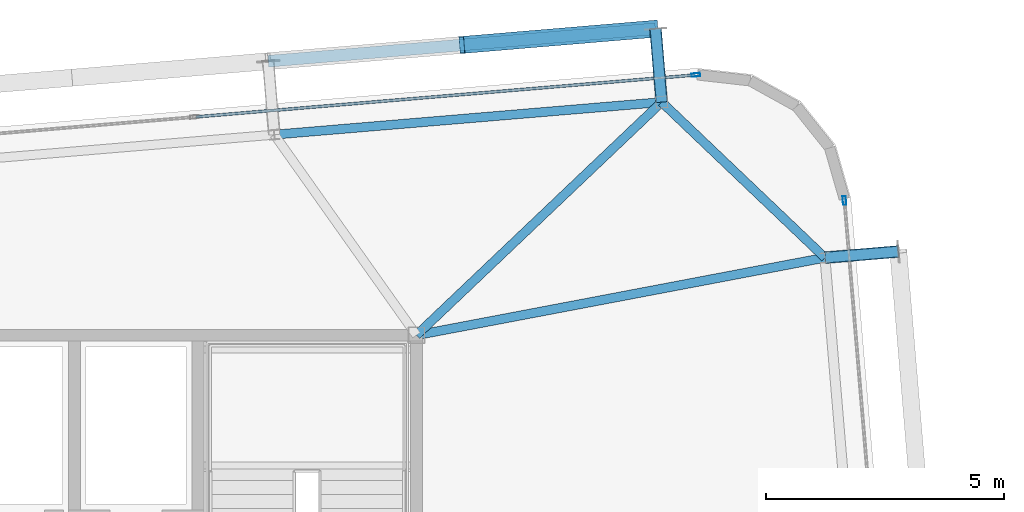
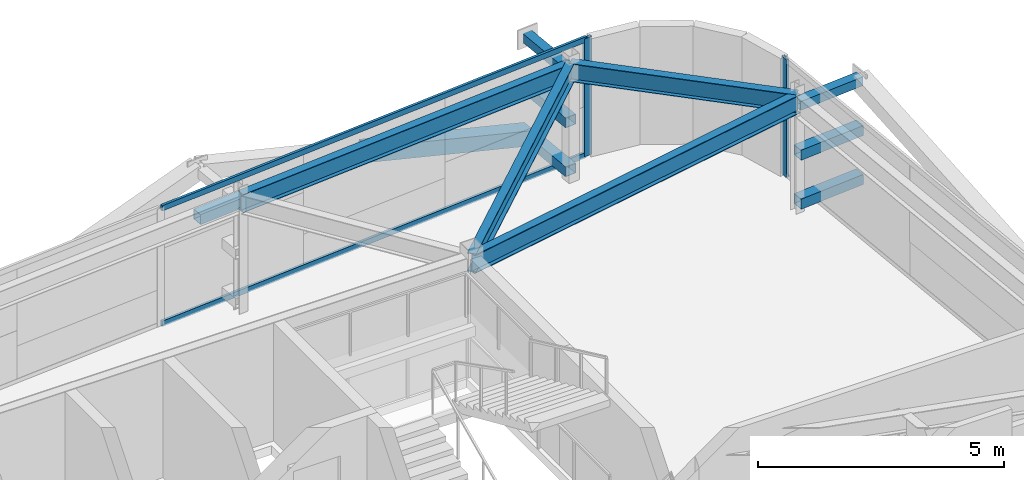
# One storey, part 25 of 37: 12 members, 4 beams, 2 elements without a shape of their own.
"""IFC4 building model written with IfcOpenShell, lengths in metres."""

from ifc_helpers import new_model, si_unit, direction, frame, origin, origin_2d, place, context, subcontext, project, spatial, hollow_rectangle, i_section, extrude, source, transform, mapped, material, layer, layer_set, material_profile, profile_set, type_object, element, aggregate, save


model = new_model("IFC4")

# Units and contexts
model_context = context("Model", 3, precision=1e-05, world=origin(), true_north=direction((0.0, 1.0)))
body_context = subcontext(model_context, "Body", "Model", "MODEL_VIEW")
ifc_project = project(units=[si_unit("LENGTHUNIT", "METRE"), si_unit("AREAUNIT", "SQUARE_METRE"), si_unit("VOLUMEUNIT", "CUBIC_METRE"), si_unit("PLANEANGLEUNIT", "RADIAN"), si_unit("MASSUNIT", "GRAM", prefix="KILO")], contexts=[model_context])

# Site, building, storey
site_placement = place(None, origin())
site = spatial("IfcSite", under=ifc_project, at=site_placement, CompositionType="ELEMENT")
building_placement = place(site_placement, origin())
building = spatial("IfcBuilding", under=site, at=building_placement, Name="Taldren Reach Tower", CompositionType="ELEMENT")
storey_placement = place(building_placement, frame((0.0, 0.0, 182.0)))
storey = spatial("IfcBuildingStorey", under=building, at=storey_placement, Name="L55", CompositionType="ELEMENT", Elevation=182.0)

# Members
ifc_material_1 = material(Name="Steel Gr 350 (C350L0)", Category="steel")
ifc_material_profile_1 = material_profile(ifc_material_1, hollow_rectangle(XDim=0.25, YDim=0.25, WallThickness=0.010009765625, at=origin_2d()), Name="250x250x10.0SHS")
ifc_profile_set_1 = profile_set([ifc_material_profile_1], Name="Steel Gr 350 (C350L0)")
member_type_1 = type_object("IfcMemberType", Name="MB-POST250", PredefinedType="POST", material=ifc_profile_set_1)
shared_shape_1 = source(origin(), body_context, "Body", "SweptSolid", [
    extrude(hollow_rectangle(XDim=0.25, YDim=0.25, WallThickness=0.010009765625, at=origin_2d()), origin(), (0.0, 0.0, 1.0), 1.5498046875),
])
for number, where, z_axis, x_axis, name in (
    (1, (56.160400390625, 36.906005859375, 0.219970703125), (-0.083645141657, 0.996495604746, 0.0), (-0.996495604746, -0.083645141657, 0.0), "Exoskeleton base diaphragm tie strut B4-N6 L55"),
    (2, (56.160400390625, 36.906005859375, 1.43505859375), (-0.083645141657, 0.996495604746, 0.0), (-0.996495604746, -0.083645141657, 0.0), "Exoskeleton mid-tier diaphragm tie B4-N6 L55"),
):
    element("IfcMember", number, at=place(storey_placement, frame(where, z_axis=z_axis, x_axis=x_axis)), inside=storey, type_object=member_type_1, Name=name, PredefinedType="POST", context=body_context, shape_type="MappedRepresentation", body=[
        mapped(shared_shape_1, transform((0.0, 0.0, 0.0), scale=1.0)),
    ])

# Beams
ifc_material_2 = material(Name="Steel Gr 350 (350PLUS)", Category="steel")
ifc_material_profile_2 = material_profile(ifc_material_2, i_section(OverallWidth=0.18994140625, OverallDepth=0.4541015625, WebThickness=0.008544921875, FlangeThickness=0.0126953125, at=origin_2d()), Name="460UB67.1")
ifc_profile_set_2 = profile_set([ifc_material_profile_2], Name="Steel Gr 350 (350PLUS)")
beam_type_1 = type_object("IfcBeamType", Name="SP-UB460B", PredefinedType="SPANDREL", material=ifc_profile_set_2)
shared_shape_2 = source(origin(), body_context, "Body", "SweptSolid", [
    extrude(i_section(OverallWidth=0.18994140625, OverallDepth=0.4541015625, WebThickness=0.008544921875, FlangeThickness=0.0126953125, at=origin_2d()), origin(), (0.0, 0.0, 1.0), 8.18017578125),
])
beam_1_placement = place(storey_placement, frame((56.160400390625, 36.906005859375, 2.702880859375), z_axis=(-0.996492034688, -0.083687662192, 0.0), x_axis=(0.083687662192, -0.996492034688, 0.0)))
element("IfcBeam", 3, at=beam_1_placement, inside=storey, type_object=beam_type_1, Name="Perimeter spandrel B4 N6-N5 L55", PredefinedType="SPANDREL", context=body_context, shape_type="MappedRepresentation", body=[
    mapped(shared_shape_2, transform((0.0, 0.0, 0.0), scale=1.0)),
])
shared_shape_3 = source(origin(), body_context, "Body", "SweptSolid", [
    extrude(i_section(OverallWidth=0.18994140625, OverallDepth=0.4541015625, WebThickness=0.008544921875, FlangeThickness=0.0126953125, at=origin_2d()), origin(), (0.0, 0.0, 1.0), 4.74609375),
])
beam_2_placement = place(storey_placement, frame((59.596435546875, 33.632080078125, 2.702880859375), z_axis=(-0.723978879349, 0.689822138132, 0.0), x_axis=(-0.689822138132, -0.723978879349, 0.0)))
element("IfcBeam", 4, at=beam_2_placement, inside=storey, type_object=beam_type_1, Name="Perimeter spandrel B4 E3-N6 L55", PredefinedType="SPANDREL", context=body_context, shape_type="MappedRepresentation", body=[
    mapped(shared_shape_3, transform((0.0, 0.0, 0.0), scale=1.0)),
])
ifc_material_profile_3 = material_profile(ifc_material_2, i_section(OverallWidth=0.19091796875, OverallDepth=0.4599609375, WebThickness=0.010009765625, FlangeThickness=0.01611328125, at=origin_2d()), Name="460UB82.1")
ifc_profile_set_3 = profile_set([ifc_material_profile_3], Name="Steel Gr 350 (350PLUS)")
beam_type_2 = type_object("IfcBeamType", Name="BM-UB460A", PredefinedType="BEAM", material=ifc_profile_set_3)
shared_shape_4 = source(origin(), body_context, "Body", "SweptSolid", [
    extrude(i_section(OverallWidth=0.19091796875, OverallDepth=0.4599609375, WebThickness=0.010009765625, FlangeThickness=0.01611328125, at=origin_2d()), origin(), (0.0, 0.0, 1.0), 8.75),
])
beam_3_placement = place(storey_placement, frame((51.0, 32.0, 2.699951171875), z_axis=(0.982450485799, 0.18652357211, 0.0), x_axis=(-0.18652357211, 0.982450485799, 0.0)))
element("IfcBeam", 5, at=beam_3_placement, inside=storey, type_object=beam_type_2, Name="Primary floor girder B4-E3 L55", PredefinedType="BEAM", context=body_context, shape_type="MappedRepresentation", body=[
    mapped(shared_shape_4, transform((0.0, 0.0, 0.0), scale=1.0)),
])
shared_shape_5 = source(origin(), body_context, "Body", "SweptSolid", [
    extrude(i_section(OverallWidth=0.19091796875, OverallDepth=0.4599609375, WebThickness=0.010009765625, FlangeThickness=0.01611328125, at=origin_2d()), origin(), (0.0, 0.0, 1.0), 7.120361328125),
])
beam_4_placement = place(storey_placement, frame((51.0, 32.0, 2.699951171875), z_axis=(0.724745130454, 0.689017050503, 0.0), x_axis=(-0.689017050503, 0.724745130454, 0.0)))
element("IfcBeam", 6, at=beam_4_placement, inside=storey, type_object=beam_type_2, Name="Primary floor girder B4-N6 L55", PredefinedType="BEAM", context=body_context, shape_type="MappedRepresentation", body=[
    mapped(shared_shape_5, transform((0.0, 0.0, 0.0), scale=1.0)),
])

# Members
ifc_material_3 = material(Name="Steel Gr 450 (C450L0)", Category="steel")
ifc_material_profile_4 = material_profile(ifc_material_3, hollow_rectangle(XDim=0.219970703125, YDim=0.219970703125, WallThickness=0.00830078125, at=origin_2d()), Name="220x220x8.2SHS")
ifc_profile_set_4 = profile_set([ifc_material_profile_4], Name="Steel Gr 450 (C450L0)")
member_type_2 = type_object("IfcMemberType", Name="MB-TIE219", PredefinedType="STRUT", material=ifc_profile_set_4)
shared_shape_6 = source(origin(), body_context, "Body", "SweptSolid", [
    extrude(hollow_rectangle(XDim=0.219970703125, YDim=0.219970703125, WallThickness=0.00830078125, at=origin_2d()), origin(), (0.0, 0.0, 1.0), 1.5498046875),
])
member_1_placement = place(storey_placement, frame((56.160400390625, 36.906005859375, 2.64990234375), z_axis=(-0.083645141657, 0.996495604746, 0.0), x_axis=(-0.996495604746, -0.083645141657, 0.0)))
element("IfcMember", 7, at=member_1_placement, inside=storey, type_object=member_type_2, Name="Exoskeleton diaphragm tie strut B4-N6 L55", PredefinedType="STRUT", context=body_context, shape_type="MappedRepresentation", body=[
    mapped(shared_shape_6, transform((0.0, 0.0, 0.0), scale=1.0)),
])
shared_shape_7 = source(origin(), body_context, "Body", "SweptSolid", [
    extrude(hollow_rectangle(XDim=0.219970703125, YDim=0.219970703125, WallThickness=0.00830078125, at=origin_2d()), origin(), (0.0, 0.0, 1.0), 1.545166015625),
])
member_2_placement = place(storey_placement, frame((59.60107421875, 33.63232421875, 2.64990234375), z_axis=(0.996487766615, 0.083738467783, 0.0), x_axis=(-0.083738467783, 0.996487766615, 0.0)))
element("IfcMember", 8, at=member_2_placement, inside=storey, type_object=member_type_2, Name="Exoskeleton diaphragm tie strut B4-E3 L55", PredefinedType="STRUT", context=body_context, shape_type="MappedRepresentation", body=[
    mapped(shared_shape_7, transform((0.0, 0.0, 0.0), scale=1.0)),
])
shared_shape_8 = source(origin(), body_context, "Body", "SweptSolid", [
    extrude(hollow_rectangle(XDim=0.25, YDim=0.25, WallThickness=0.010009765625, at=origin_2d()), origin(), (0.0, 0.0, 1.0), 8.179931640625),
])
member_3_placement = place(storey_placement, frame((47.87939453125, 37.76611328125, 1.43505859375), z_axis=(0.996494523218, 0.083658025296, 0.0), x_axis=(-0.083658025296, 0.996494523218, 0.0)))
element("IfcMember", 9, at=member_3_placement, inside=storey, type_object=member_type_1, Name="Exoskeleton mid-height ring chord B4-N5 L55", PredefinedType="POST", context=body_context, shape_type="MappedRepresentation", body=[
    mapped(shared_shape_8, transform((0.0, 0.0, 0.0), scale=1.0)),
])
shared_shape_9 = source(origin(), body_context, "Body", "SweptSolid", [
    extrude(hollow_rectangle(XDim=0.25, YDim=0.25, WallThickness=0.010009765625, at=origin_2d()), origin(), (0.0, 0.0, 1.0), 1.545166015625),
])
for number, where, z_axis, x_axis, name in (
    (10, (59.60107421875, 33.63232421875, 0.219970703125), (0.996487766615, 0.083738467783, 0.0), (-0.083738467783, 0.996487766615, 0.0), "Exoskeleton base diaphragm tie strut B4-E3 L55"),
    (11, (59.60107421875, 33.63232421875, 1.43505859375), (0.996487766615, 0.083738467783, 0.0), (-0.083738467783, 0.996487766615, 0.0), "Exoskeleton mid-tier diaphragm tie B4-E3 L55"),
):
    element("IfcMember", number, at=place(storey_placement, frame(where, z_axis=z_axis, x_axis=x_axis)), inside=storey, type_object=member_type_1, Name=name, PredefinedType="POST", context=body_context, shape_type="MappedRepresentation", body=[
        mapped(shared_shape_9, transform((0.0, 0.0, 0.0), scale=1.0)),
    ])
ifc_material_profile_5 = material_profile(ifc_material_3, hollow_rectangle(XDim=0.360107421875, YDim=0.360107421875, WallThickness=0.0126953125, at=origin_2d()), Name="360x360x12.7SHS")
ifc_profile_set_5 = profile_set([ifc_material_profile_5], Name="Steel Gr 450 (C450L0)")
member_type_3 = type_object("IfcMemberType", Name="MB-EXO356", PredefinedType="BRACE", material=ifc_profile_set_5)
shared_shape_10 = source(origin(), body_context, "Body", "SweptSolid", [
    extrude(hollow_rectangle(XDim=0.360107421875, YDim=0.360107421875, WallThickness=0.0126953125, at=origin_2d()), origin(), (0.0, 0.0, 1.0), 4.2666015625),
])
member_4_placement = place(storey_placement, frame((56.03076171875, 38.450439453125, 0.219970703125), z_axis=(-0.955233542365, -0.080165460216, 0.28478479336), x_axis=(0.083628388178, -0.996497010879, 0.0)))
element("IfcMember", 12, at=member_4_placement, inside=storey, type_object=member_type_3, Name="Exoskeleton Diagrid Brace B4-N5 L55", PredefinedType="BRACE", context=body_context, shape_type="MappedRepresentation", body=[
    mapped(shared_shape_10, transform((0.0, 0.0, 0.0), scale=1.0)),
])

# Curtain wall, member
ifc_material_4 = material(Name="Aluminium and Low-E Glass Unitised System", Category="aluminium")
ifc_layer = layer(ifc_material_4, 0.159912109375)
ifc_layer_set = layer_set([ifc_layer], Name="Aluminium and Low-E Glass Unitised System")
curtain_wall_type = type_object("IfcCurtainWallType", Name="CW-SYS-5", PredefinedType="NOTDEFINED", material=ifc_layer_set)
curtain_wall_1_placement = place(storey_placement, origin())
curtain_wall_1 = element("IfcCurtainWall", 13, at=curtain_wall_1_placement, inside=storey, type_object=curtain_wall_type, Name="Unitised curtain wall CW-L55-N", PredefinedType="NOTDEFINED")
ifc_material_5 = material(Name="Anodised Aluminium 6063-T6", Category="aluminium")
ifc_material_profile_6 = material_profile(ifc_material_5, hollow_rectangle(XDim=0.070068359375, YDim=0.179931640625, WallThickness=0.00390625, at=origin_2d()), Name="ALU-180x70x4RHS")
ifc_profile_set_6 = profile_set([ifc_material_profile_6], Name="Anodised Aluminium 6063-T6")
member_type_4 = type_object("IfcMemberType", Name="CW-MUL-180", PredefinedType="MULLION", material=ifc_profile_set_6)
shared_shape_11 = source(origin(), body_context, "Body", "SweptSolid", [
    extrude(hollow_rectangle(XDim=0.070068359375, YDim=0.179931640625, WallThickness=0.00390625, at=origin_2d()), origin(), (0.0, 0.0, 1.0), 2.929931640625),
])
member_5_placement = place(storey_placement, frame((56.8798828125, 37.478271484375, 0.0), z_axis=(0.0, 0.0, 1.0), x_axis=(0.083677875247, -0.99649285657, 0.0)))
member_5 = element("IfcMember", 14, at=member_5_placement, type_object=member_type_4, Name="CW-5 mullion 1", PredefinedType="MULLION", context=body_context, shape_type="MappedRepresentation", body=[
    mapped(shared_shape_11, transform((0.0, 0.0, 0.0), scale=1.0)),
])

curtain_wall_2_placement = place(storey_placement, origin())
curtain_wall_2 = element("IfcCurtainWall", 15, at=curtain_wall_2_placement, inside=storey, type_object=curtain_wall_type, Name="Unitised curtain wall CW-L55-E", PredefinedType="NOTDEFINED")
member_6_placement = place(storey_placement, frame((60.007080078125, 34.835693359375, 0.0), z_axis=(0.0, 0.0, 1.0), x_axis=(-0.996492847789, -0.083677979808, 0.0)))
member_6 = element("IfcMember", 16, at=member_6_placement, type_object=member_type_4, Name="CW-5 mullion 3", PredefinedType="MULLION", context=body_context, shape_type="MappedRepresentation", body=[
    mapped(shared_shape_11, transform((0.0, 0.0, 0.0), scale=1.0)),
])
aggregate(curtain_wall_2, [member_6])

# Member
ifc_material_profile_7 = material_profile(ifc_material_5, hollow_rectangle(XDim=0.06005859375, YDim=0.135009765625, WallThickness=0.00341796875, at=origin_2d()), Name="ALU-135x60x3.5RHS")
ifc_profile_set_7 = profile_set([ifc_material_profile_7], Name="Anodised Aluminium 6063-T6")
member_type_5 = type_object("IfcMemberType", Name="CW-TRN-150", PredefinedType="USERDEFINED", material=ifc_profile_set_7)
shared_shape_12 = source(origin(), body_context, "Body", "SweptSolid", [
    extrude(hollow_rectangle(XDim=0.06005859375, YDim=0.135009765625, WallThickness=0.00341796875, at=origin_2d()), origin(), (0.0, 0.0, 1.0), 10.52001953125),
])
member_7_placement = place(storey_placement, frame((56.84521484375, 37.475341796875, 0.030029296875), z_axis=(-0.996492256575, -0.08368502008, 0.0), x_axis=(0.08368502008, -0.996492256575, 0.0)))
member_7 = element("IfcMember", 17, at=member_7_placement, type_object=member_type_5, Name="CW-5 transom 1.1", ObjectType="TRANSOM", PredefinedType="USERDEFINED", context=body_context, shape_type="MappedRepresentation", body=[
    mapped(shared_shape_12, transform((0.0, 0.0, 0.0), scale=1.0)),
])

member_8_placement = place(storey_placement, frame((56.84521484375, 37.475341796875, 2.89990234375), z_axis=(-0.996492256575, -0.08368502008, 0.0), x_axis=(0.08368502008, -0.996492256575, 0.0)))
member_8 = element("IfcMember", 18, at=member_8_placement, type_object=member_type_5, Name="CW-5 transom 1.2", ObjectType="TRANSOM", PredefinedType="USERDEFINED", context=body_context, shape_type="MappedRepresentation", body=[
    mapped(shared_shape_12, transform((0.0, 0.0, 0.0), scale=1.0)),
])

aggregate(curtain_wall_1, [member_5, member_7, member_8])

save(model, "model.ifc")
